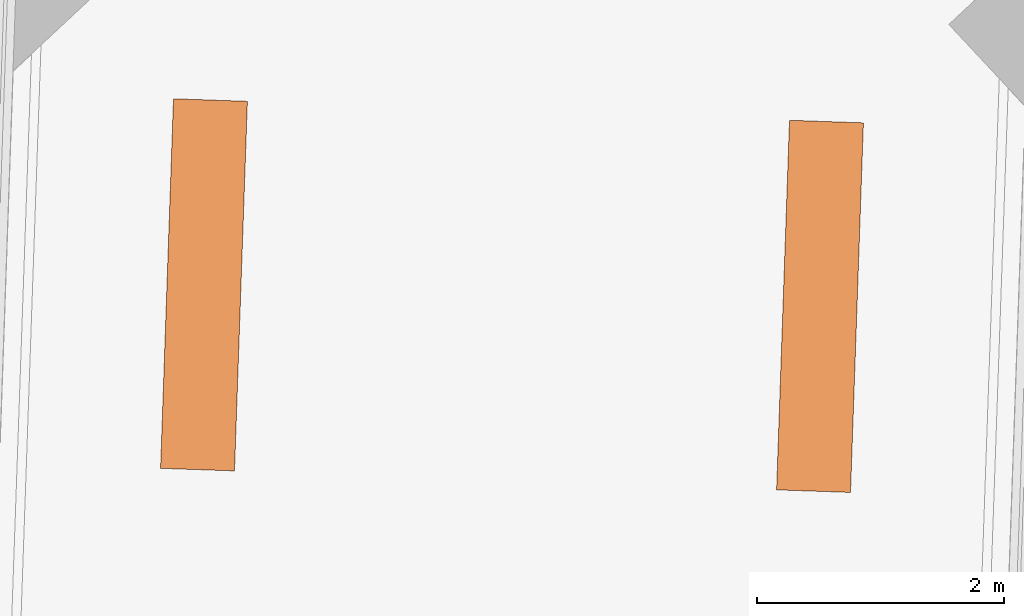
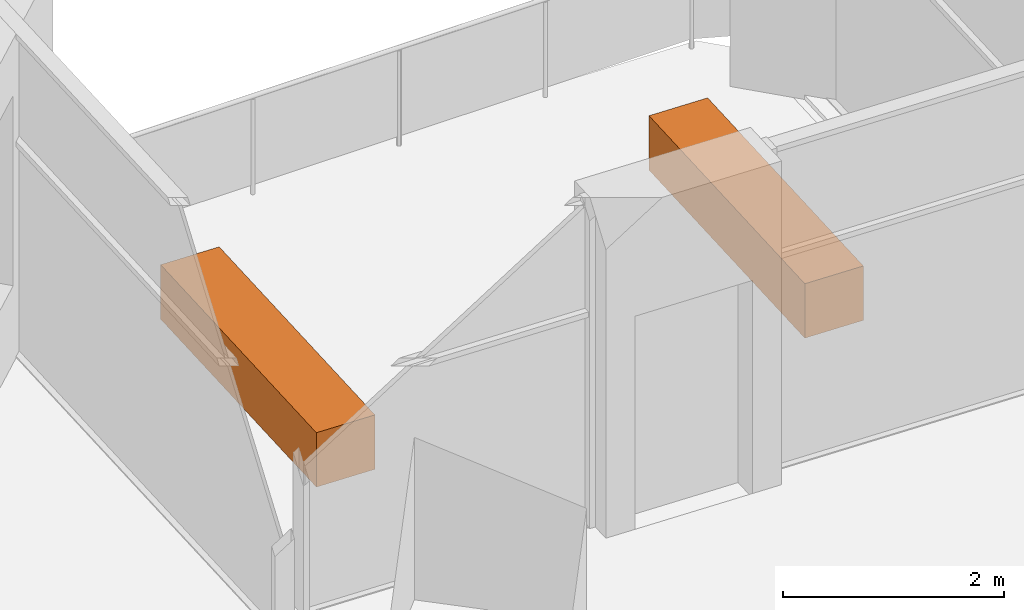
# One storey, part 10 of 10: 2 proxies.
"""IFC4 building model written with IfcOpenShell, lengths in metres."""

from ifc_helpers import new_model, si_unit, direction, frame, origin, origin_2d, place, context, subcontext, project, spatial, rectangle, extrude, element, save


model = new_model("IFC4")

# Units and contexts
model_context = context("Model", 3, precision=1e-05, world=origin(), true_north=direction((0.0, 1.0)))
body_context = subcontext(model_context, "Body", "Model", "MODEL_VIEW")
ifc_project = project(units=[si_unit("LENGTHUNIT", "METRE"), si_unit("AREAUNIT", "SQUARE_METRE"), si_unit("VOLUMEUNIT", "CUBIC_METRE"), si_unit("PLANEANGLEUNIT", "RADIAN"), si_unit("MASSUNIT", "GRAM", prefix="KILO")], contexts=[model_context])

# Site, building, storey
site_placement = place(None, origin())
site = spatial("IfcSite", under=ifc_project, at=site_placement, CompositionType="ELEMENT")
building_placement = place(site_placement, origin())
building = spatial("IfcBuilding", under=site, at=building_placement, Name="Dilmun Exchange Tower", CompositionType="ELEMENT")
storey_placement = place(building_placement, frame((0.0, 0.0, 197.300048828125)))
storey = spatial("IfcBuildingStorey", under=building, at=storey_placement, Name="L46", CompositionType="ELEMENT", Elevation=197.300048828125)

# Proxies
for number, where, z_axis, x_axis, name in (
    (1, (7.15771484375, 32.025146484375, 0.0), (0.0, 0.0, 1.0), (0.034899496703, 0.999390827019, 0.0), "PLANTER Date palm L46.1"),
    (2, (2.16064453125, 32.19970703125, 0.0), (0.0, 0.0, 1.0), (0.034899496703, 0.999390827019, 0.0), "PLANTER Date palm L46.2"),
):
    element("IfcBuildingElementProxy", number, at=place(storey_placement, frame(where, z_axis=z_axis, x_axis=x_axis)), inside=storey, Name=name, ObjectType="PLANTER", PredefinedType="USERDEFINED", context=body_context, shape_type="SweptSolid", body=[
        extrude(rectangle(XDim=3.0, YDim=0.60009765625, at=origin_2d()), origin(), (0.0, 0.0, 1.0), 0.60009765625),
    ])

save(model, "model.ifc")
